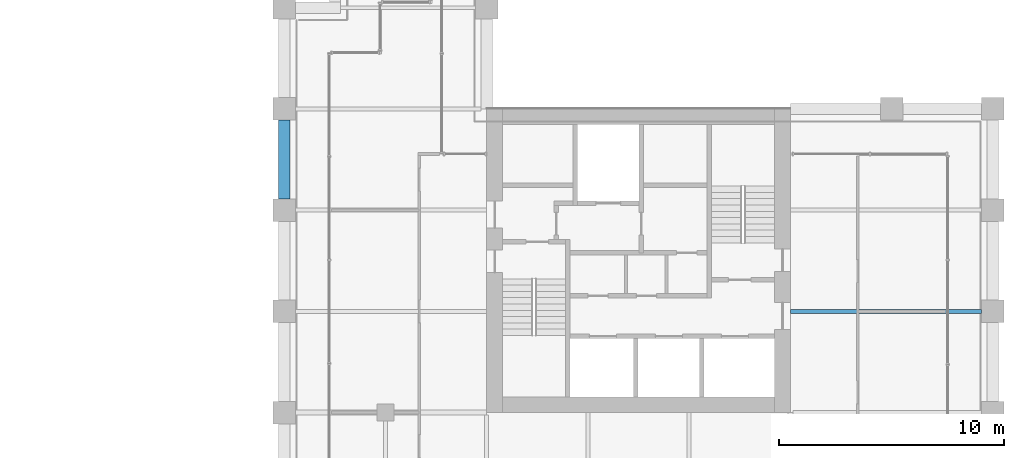
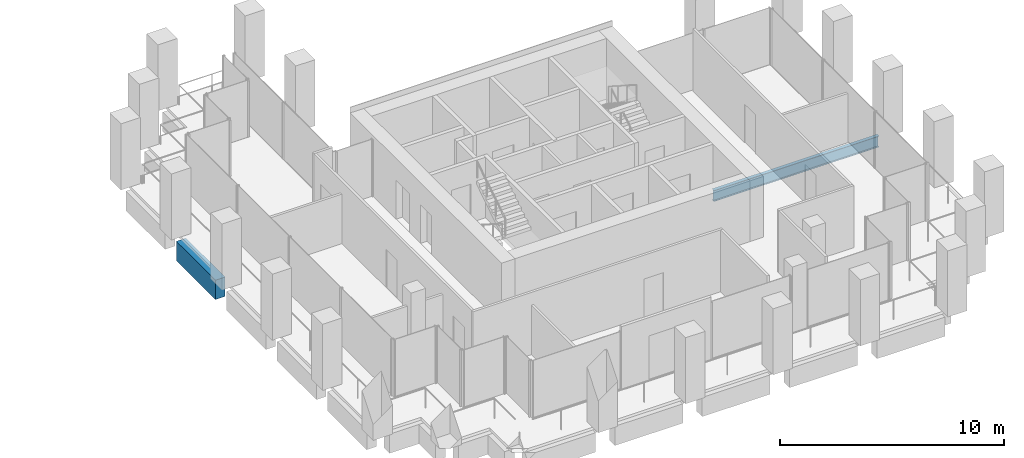
# One storey, part 33 of 46: 2 beams.
"""IFC4 building model written with IfcOpenShell, lengths in metres."""

from ifc_helpers import new_model, si_unit, direction, frame, origin, origin_2d, place, context, subcontext, project, spatial, rectangle, i_section, extrude, material, material_profile, profile_set, type_object, element, save


model = new_model("IFC4")

# Units and contexts
model_context = context("Model", 3, precision=1e-05, world=origin(), true_north=direction((0.0, 1.0)))
body_context = subcontext(model_context, "Body", "Model", "MODEL_VIEW")
ifc_project = project(units=[si_unit("LENGTHUNIT", "METRE"), si_unit("AREAUNIT", "SQUARE_METRE"), si_unit("VOLUMEUNIT", "CUBIC_METRE"), si_unit("PLANEANGLEUNIT", "RADIAN"), si_unit("MASSUNIT", "GRAM", prefix="KILO")], contexts=[model_context])

# Site, building, storey
site_placement = place(None, origin())
site = spatial("IfcSite", under=ifc_project, at=site_placement, CompositionType="ELEMENT")
building_placement = place(site_placement, origin())
building = spatial("IfcBuilding", under=site, at=building_placement, Name="Altepetl Exchange Towers", CompositionType="ELEMENT")
storey_placement = place(building_placement, frame((0.0, 0.0, 135.199951171875)))
storey = spatial("IfcBuildingStorey", under=building, at=storey_placement, Name="L33", CompositionType="ELEMENT", Elevation=135.199951171875)

# Beams
ifc_material_1 = material(Name="Steel S355", Category="steel")
ifc_material_profile_1 = material_profile(ifc_material_1, i_section(OverallWidth=0.177978515625, OverallDepth=0.59912109375, WebThickness=0.010009765625, FlangeThickness=0.0126953125, at=origin_2d()), Name="W24X55")
ifc_profile_set_1 = profile_set([ifc_material_profile_1], Name="Steel S355")
beam_type_1 = type_object("IfcBeamType", Name="Floor beam W24X55", PredefinedType="BEAM", material=ifc_profile_set_1)
beam_1_placement = place(storey_placement, frame((117.0, 40.5, -0.449462890625), z_axis=(1.0, 0.0, 0.0), x_axis=(0.0, 1.0, 0.0)))
element("IfcBeam", 1, at=beam_1_placement, inside=storey, type_object=beam_type_1, Name="bm:B:L33:002", PredefinedType="BEAM", context=body_context, shape_type="SweptSolid", body=[
    extrude(i_section(OverallWidth=0.177978515625, OverallDepth=0.59912109375, WebThickness=0.010009765625, FlangeThickness=0.0126953125, at=origin_2d()), origin(), (0.0, 0.0, 1.0), 8.5),
])
ifc_material_2 = material(Name="Concrete C50/60 precast with cantera rosa facing", Category="concrete")
ifc_material_profile_2 = material_profile(ifc_material_2, rectangle(XDim=0.5, YDim=1.050048828125, at=origin_2d()), Name="500 x 1050")
ifc_profile_set_2 = profile_set([ifc_material_profile_2], Name="Concrete C50/60 precast with cantera rosa facing")
beam_type_2 = type_object("IfcBeamType", Name="Spandrel beam 500x1050 cantera rosa", PredefinedType="SPANDREL", material=ifc_profile_set_2)
beam_2_placement = place(storey_placement, frame((94.5, 49.0, -0.675048828125), z_axis=(0.0, -1.0, 0.0), x_axis=(1.0, 0.0, 0.0)))
element("IfcBeam", 2, at=beam_2_placement, inside=storey, type_object=beam_type_2, Name="sp:B:L33:023", PredefinedType="SPANDREL", context=body_context, shape_type="SweptSolid", body=[
    extrude(rectangle(XDim=0.5, YDim=1.050048828125, at=origin_2d()), origin(), (0.0, 0.0, 1.0), 3.5),
])

save(model, "model.ifc")
